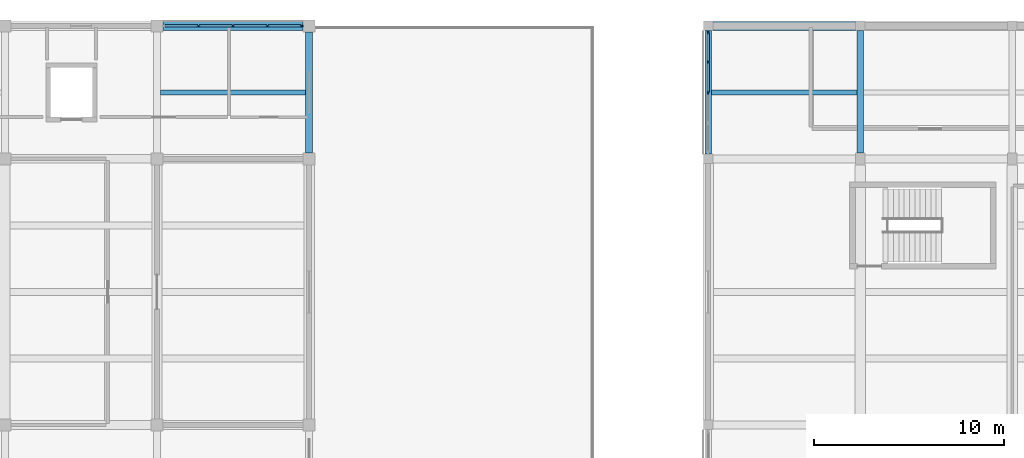
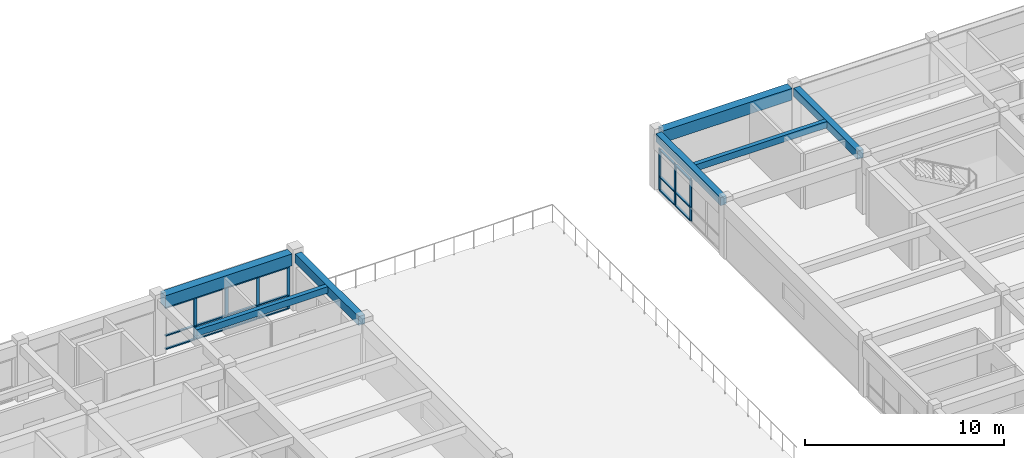
# One storey, part 8 of 22: 25 members, 7 beams, 2 elements without a shape of their own.
"""IFC4 building model written with IfcOpenShell, lengths in metres."""

from ifc_helpers import new_model, si_unit, direction, frame, origin, origin_2d, place, context, subcontext, project, spatial, rectangle, extrude, material, layer, layer_set, material_profile, profile_set, type_object, element, aggregate, save


model = new_model("IFC4")

# Units and contexts
model_context = context("Model", 3, precision=1e-05, world=origin(), true_north=direction((0.0, 1.0)))
body_context = subcontext(model_context, "Body", "Model", "MODEL_VIEW")
ifc_project = project(units=[si_unit("LENGTHUNIT", "METRE"), si_unit("AREAUNIT", "SQUARE_METRE"), si_unit("VOLUMEUNIT", "CUBIC_METRE"), si_unit("PLANEANGLEUNIT", "RADIAN"), si_unit("MASSUNIT", "GRAM", prefix="KILO")], contexts=[model_context])

# Site, building, storey
site_placement = place(None, origin())
site = spatial("IfcSite", under=ifc_project, at=site_placement, CompositionType="ELEMENT")
building_placement = place(site_placement, origin())
building = spatial("IfcBuilding", under=site, at=building_placement, Name="Naurynzar Civic Courthouse", CompositionType="ELEMENT")
storey_placement = place(building_placement, frame((0.0, 0.0, 25.800048828125)))
storey = spatial("IfcBuildingStorey", under=building, at=storey_placement, Name="L07", CompositionType="ELEMENT", Elevation=25.800048828125)

# Beams
ifc_material_1 = material(Name="Concrete C40/50", Category="concrete")
ifc_material_profile_1 = material_profile(ifc_material_1, rectangle(XDim=0.25, YDim=0.39990234375, at=origin_2d()), Name="RCB 250x400")
ifc_profile_set_1 = profile_set([ifc_material_profile_1], Name="Concrete C40/50")
beam_type_1 = type_object("IfcBeamType", Name="BM-JST-250x400", PredefinedType="JOIST", material=ifc_profile_set_1)
beam_1_placement = place(storey_placement, frame((101.1875, 68.5, 3.27001953125), z_axis=(1.0, 0.0, 0.0), x_axis=(0.0, 1.0, 0.0)))
element("IfcBeam", 1, at=beam_1_placement, inside=storey, type_object=beam_type_1, Name="V2 secondary rib 999 L07", PredefinedType="JOIST", context=body_context, shape_type="SweptSolid", body=[
    extrude(rectangle(XDim=0.25, YDim=0.39990234375, at=origin_2d()), origin(), (0.0, 0.0, 1.0), 7.625),
])
beam_2_placement = place(storey_placement, frame((130.175048828125, 68.5, 3.27001953125), z_axis=(1.0, 0.0, 0.0), x_axis=(0.0, 1.0, 0.0)))
element("IfcBeam", 2, at=beam_2_placement, inside=storey, type_object=beam_type_1, Name="V5 secondary rib 2901 L07", PredefinedType="JOIST", context=body_context, shape_type="SweptSolid", body=[
    extrude(rectangle(XDim=0.25, YDim=0.39990234375, at=origin_2d()), origin(), (0.0, 0.0, 1.0), 7.64990234375),
])
ifc_material_2 = material(Name="Concrete C40/50", Category="concrete")
ifc_material_profile_2 = material_profile(ifc_material_2, rectangle(XDim=0.35009765625, YDim=0.5, at=origin_2d()), Name="RCB 350x500")
ifc_profile_set_2 = profile_set([ifc_material_profile_2], Name="Concrete C40/50")
beam_type_2 = type_object("IfcBeamType", Name="BM-RC-350x500", PredefinedType="BEAM", material=ifc_profile_set_2)
beam_3_placement = place(storey_placement, frame((130.0, 65.25, 3.219970703125), z_axis=(0.0, 1.0, 0.0), x_axis=(-1.0, 0.0, 0.0)))
element("IfcBeam", 3, at=beam_3_placement, inside=storey, type_object=beam_type_2, Name="V5 girder Y-2857 L07", PredefinedType="BEAM", context=body_context, shape_type="SweptSolid", body=[
    extrude(rectangle(XDim=0.35009765625, YDim=0.5, at=origin_2d()), origin(), (0.0, 0.0, 1.0), 6.5),
])
beam_4_placement = place(storey_placement, frame((138.0, 65.324951171875, 3.219970703125), z_axis=(0.0, 1.0, 0.0), x_axis=(-1.0, 0.0, 0.0)))
element("IfcBeam", 4, at=beam_4_placement, inside=storey, type_object=beam_type_2, Name="V5 girder Y-2864 L07", PredefinedType="BEAM", context=body_context, shape_type="SweptSolid", body=[
    extrude(rectangle(XDim=0.35009765625, YDim=0.5, at=origin_2d()), origin(), (0.0, 0.0, 1.0), 6.425048828125),
])
ifc_material_3 = material(Name="Concrete C40/50", Category="concrete")
ifc_material_profile_3 = material_profile(ifc_material_3, rectangle(XDim=0.375, YDim=0.550048828125, at=origin_2d()), Name="RCB 375x550")
ifc_profile_set_3 = profile_set([ifc_material_profile_3], Name="Concrete C40/50")
beam_type_3 = type_object("IfcBeamType", Name="BM-RC-375x550", PredefinedType="BEAM", material=ifc_profile_set_3)
beam_5_placement = place(storey_placement, frame((109.0, 65.3125, 3.195068359375), z_axis=(0.0, 1.0, 0.0), x_axis=(-1.0, 0.0, 0.0)))
element("IfcBeam", 5, at=beam_5_placement, inside=storey, type_object=beam_type_3, Name="V2 girder Y-974 L07", PredefinedType="BEAM", context=body_context, shape_type="SweptSolid", body=[
    extrude(rectangle(XDim=0.375, YDim=0.550048828125, at=origin_2d()), origin(), (0.0, 0.0, 1.0), 6.375),
])
ifc_material_4 = material(Name="Concrete C40/50", Category="concrete")
ifc_material_profile_4 = material_profile(ifc_material_4, rectangle(XDim=0.47509765625, YDim=0.72509765625, at=origin_2d()), Name="RCB 475x725")
ifc_profile_set_4 = profile_set([ifc_material_profile_4], Name="Concrete C40/50")
beam_type_4 = type_object("IfcBeamType", Name="BM-RC-475x725", PredefinedType="SPANDREL", material=ifc_profile_set_4)
beam_6_placement = place(storey_placement, frame((101.3125, 72.0, 3.107421875), z_axis=(1.0, 0.0, 0.0), x_axis=(0.0, 1.0, 0.0)))
element("IfcBeam", 6, at=beam_6_placement, inside=storey, type_object=beam_type_4, Name="V2 beam X-953 L07", PredefinedType="SPANDREL", context=body_context, shape_type="SweptSolid", body=[
    extrude(rectangle(XDim=0.47509765625, YDim=0.72509765625, at=origin_2d()), origin(), (0.0, 0.0, 1.0), 7.375),
])
beam_7_placement = place(storey_placement, frame((130.25, 72.0, 3.107421875), z_axis=(1.0, 0.0, 0.0), x_axis=(0.0, 1.0, 0.0)))
element("IfcBeam", 7, at=beam_7_placement, inside=storey, type_object=beam_type_4, Name="V5 beam X-2847 L07", PredefinedType="SPANDREL", context=body_context, shape_type="SweptSolid", body=[
    extrude(rectangle(XDim=0.47509765625, YDim=0.72509765625, at=origin_2d()), origin(), (0.0, 0.0, 1.0), 7.5),
])

# Curtain wall, members
ifc_material_5 = material(Name="Aluminium 6063-T6", Category="aluminium")
ifc_layer = layer(ifc_material_5, 0.159912109375)
ifc_layer_set = layer_set([ifc_layer], Name="CW-UNIT-1800")
curtain_wall_type = type_object("IfcCurtainWallType", Name="CW-UNIT-1800", PredefinedType="NOTDEFINED", material=ifc_layer_set)
curtain_wall_1_placement = place(storey_placement, origin())
curtain_wall_1 = element("IfcCurtainWall", 8, at=curtain_wall_1_placement, inside=storey, type_object=curtain_wall_type, Name="V2 unitised curtain wall 50 L07", PredefinedType="NOTDEFINED")
ifc_material_6 = material(Name="Aluminium 6063-T6", Category="aluminium")
ifc_material_profile_5 = material_profile(ifc_material_6, rectangle(XDim=0.070068359375, YDim=0.179931640625, at=origin_2d()), Name="ALU MULLION 70x180")
ifc_profile_set_5 = profile_set([ifc_material_profile_5], Name="Aluminium 6063-T6")
member_type_1 = type_object("IfcMemberType", Name="CWM-70x180", PredefinedType="MULLION", material=ifc_profile_set_5)
member_1_placement = place(storey_placement, frame((103.18115234375, 72.0, 0.0), z_axis=(0.0, 0.0, 1.0), x_axis=(0.0, 1.0, 0.0)))
member_1 = element("IfcMember", 9, at=member_1_placement, type_object=member_type_1, Name="CW-02 mullion 2", PredefinedType="MULLION", context=body_context, shape_type="SweptSolid", body=[
    extrude(rectangle(XDim=0.070068359375, YDim=0.179931640625, at=origin_2d()), origin(), (0.0, 0.0, 1.0), 2.599853515625),
])
member_2_placement = place(storey_placement, frame((105.0, 72.0, 0.0), z_axis=(0.0, 0.0, 1.0), x_axis=(0.0, 1.0, 0.0)))
member_2 = element("IfcMember", 10, at=member_2_placement, type_object=member_type_1, Name="CW-02 mullion 3", PredefinedType="MULLION", context=body_context, shape_type="SweptSolid", body=[
    extrude(rectangle(XDim=0.070068359375, YDim=0.179931640625, at=origin_2d()), origin(), (0.0, 0.0, 1.0), 2.599853515625),
])
member_3_placement = place(storey_placement, frame((106.81884765625, 72.0, 0.0), z_axis=(0.0, 0.0, 1.0), x_axis=(0.0, 1.0, 0.0)))
member_3 = element("IfcMember", 11, at=member_3_placement, type_object=member_type_1, Name="CW-02 mullion 4", PredefinedType="MULLION", context=body_context, shape_type="SweptSolid", body=[
    extrude(rectangle(XDim=0.070068359375, YDim=0.179931640625, at=origin_2d()), origin(), (0.0, 0.0, 1.0), 2.599853515625),
])
member_4_placement = place(storey_placement, frame((108.6025390625, 72.0, 0.0), z_axis=(0.0, 0.0, 1.0), x_axis=(0.0, 1.0, 0.0)))
member_4 = element("IfcMember", 12, at=member_4_placement, type_object=member_type_1, Name="CW-02 mullion 5", PredefinedType="MULLION", context=body_context, shape_type="SweptSolid", body=[
    extrude(rectangle(XDim=0.070068359375, YDim=0.179931640625, at=origin_2d()), origin(), (0.0, 0.0, 1.0), 2.599853515625),
])

curtain_wall_2_placement = place(storey_placement, origin())
curtain_wall_2 = element("IfcCurtainWall", 13, at=curtain_wall_2_placement, inside=storey, type_object=curtain_wall_type, Name="V5 unitised curtain wall 115 L07", PredefinedType="NOTDEFINED")
member_5_placement = place(storey_placement, frame((130.0, 68.5, 0.0), z_axis=(0.0, 0.0, 1.0), x_axis=(-1.0, 0.0, 0.0)))
member_5 = element("IfcMember", 14, at=member_5_placement, type_object=member_type_1, Name="CW-02 mullion 3", PredefinedType="MULLION", context=body_context, shape_type="SweptSolid", body=[
    extrude(rectangle(XDim=0.070068359375, YDim=0.179931640625, at=origin_2d()), origin(), (0.0, 0.0, 1.0), 2.550048828125),
])
member_6_placement = place(storey_placement, frame((130.0, 70.10009765625, 0.0), z_axis=(0.0, 0.0, 1.0), x_axis=(-1.0, 0.0, 0.0)))
member_6 = element("IfcMember", 15, at=member_6_placement, type_object=member_type_1, Name="CW-02 mullion 4", PredefinedType="MULLION", context=body_context, shape_type="SweptSolid", body=[
    extrude(rectangle(XDim=0.070068359375, YDim=0.179931640625, at=origin_2d()), origin(), (0.0, 0.0, 1.0), 2.550048828125),
])
member_7_placement = place(storey_placement, frame((130.0, 71.6650390625, 0.0), z_axis=(0.0, 0.0, 1.0), x_axis=(-1.0, 0.0, 0.0)))
member_7 = element("IfcMember", 16, at=member_7_placement, type_object=member_type_1, Name="CW-02 mullion 5", PredefinedType="MULLION", context=body_context, shape_type="SweptSolid", body=[
    extrude(rectangle(XDim=0.070068359375, YDim=0.179931640625, at=origin_2d()), origin(), (0.0, 0.0, 1.0), 2.550048828125),
])

# Member
ifc_material_7 = material(Name="Aluminium 6063-T6", Category="aluminium")
ifc_material_profile_6 = material_profile(ifc_material_7, rectangle(XDim=0.1298828125, YDim=0.070068359375, at=origin_2d()), Name="ALU TRANSOM 70x130")
ifc_profile_set_6 = profile_set([ifc_material_profile_6], Name="Aluminium 6063-T6")
member_type_2 = type_object("IfcMemberType", Name="CWT-70x130", PredefinedType="USERDEFINED", material=ifc_profile_set_6)
member_8_placement = place(storey_placement, frame((101.4326171875, 72.0, 0.034912109375), z_axis=(1.0, 0.0, 0.0), x_axis=(0.0, 1.0, 0.0)))
member_8 = element("IfcMember", 17, at=member_8_placement, type_object=member_type_2, Name="CW-02 transom 1.1", ObjectType="TRANSOM", PredefinedType="USERDEFINED", context=body_context, shape_type="SweptSolid", body=[
    extrude(rectangle(XDim=0.1298828125, YDim=0.070068359375, at=origin_2d()), origin(), (0.0, 0.0, 1.0), 1.713623046875),
])

member_9_placement = place(storey_placement, frame((101.4326171875, 72.0, 0.849853515625), z_axis=(1.0, 0.0, 0.0), x_axis=(0.0, 1.0, 0.0)))
member_9 = element("IfcMember", 18, at=member_9_placement, type_object=member_type_2, Name="CW-02 transom 1.2", ObjectType="TRANSOM", PredefinedType="USERDEFINED", context=body_context, shape_type="SweptSolid", body=[
    extrude(rectangle(XDim=0.1298828125, YDim=0.070068359375, at=origin_2d()), origin(), (0.0, 0.0, 1.0), 1.713623046875),
])

member_10_placement = place(storey_placement, frame((101.4326171875, 72.0, 2.56494140625), z_axis=(1.0, 0.0, 0.0), x_axis=(0.0, 1.0, 0.0)))
member_10 = element("IfcMember", 19, at=member_10_placement, type_object=member_type_2, Name="CW-02 transom 1.3", ObjectType="TRANSOM", PredefinedType="USERDEFINED", context=body_context, shape_type="SweptSolid", body=[
    extrude(rectangle(XDim=0.1298828125, YDim=0.070068359375, at=origin_2d()), origin(), (0.0, 0.0, 1.0), 1.713623046875),
])

member_11_placement = place(storey_placement, frame((103.21630859375, 72.0, 0.034912109375), z_axis=(1.0, 0.0, 0.0), x_axis=(0.0, 1.0, 0.0)))
member_11 = element("IfcMember", 20, at=member_11_placement, type_object=member_type_2, Name="CW-02 transom 2.1", ObjectType="TRANSOM", PredefinedType="USERDEFINED", context=body_context, shape_type="SweptSolid", body=[
    extrude(rectangle(XDim=0.1298828125, YDim=0.070068359375, at=origin_2d()), origin(), (0.0, 0.0, 1.0), 1.748779296875),
])

member_12_placement = place(storey_placement, frame((103.21630859375, 72.0, 0.849853515625), z_axis=(1.0, 0.0, 0.0), x_axis=(0.0, 1.0, 0.0)))
member_12 = element("IfcMember", 21, at=member_12_placement, type_object=member_type_2, Name="CW-02 transom 2.2", ObjectType="TRANSOM", PredefinedType="USERDEFINED", context=body_context, shape_type="SweptSolid", body=[
    extrude(rectangle(XDim=0.1298828125, YDim=0.070068359375, at=origin_2d()), origin(), (0.0, 0.0, 1.0), 1.748779296875),
])

member_13_placement = place(storey_placement, frame((103.21630859375, 72.0, 2.56494140625), z_axis=(1.0, 0.0, 0.0), x_axis=(0.0, 1.0, 0.0)))
member_13 = element("IfcMember", 22, at=member_13_placement, type_object=member_type_2, Name="CW-02 transom 2.3", ObjectType="TRANSOM", PredefinedType="USERDEFINED", context=body_context, shape_type="SweptSolid", body=[
    extrude(rectangle(XDim=0.1298828125, YDim=0.070068359375, at=origin_2d()), origin(), (0.0, 0.0, 1.0), 1.748779296875),
])

member_14_placement = place(storey_placement, frame((105.034912109375, 72.0, 0.034912109375), z_axis=(1.0, 0.0, 0.0), x_axis=(0.0, 1.0, 0.0)))
member_14 = element("IfcMember", 23, at=member_14_placement, type_object=member_type_2, Name="CW-02 transom 3.1", ObjectType="TRANSOM", PredefinedType="USERDEFINED", context=body_context, shape_type="SweptSolid", body=[
    extrude(rectangle(XDim=0.1298828125, YDim=0.070068359375, at=origin_2d()), origin(), (0.0, 0.0, 1.0), 1.748779296875),
])

member_15_placement = place(storey_placement, frame((105.034912109375, 72.0, 0.849853515625), z_axis=(1.0, 0.0, 0.0), x_axis=(0.0, 1.0, 0.0)))
member_15 = element("IfcMember", 24, at=member_15_placement, type_object=member_type_2, Name="CW-02 transom 3.2", ObjectType="TRANSOM", PredefinedType="USERDEFINED", context=body_context, shape_type="SweptSolid", body=[
    extrude(rectangle(XDim=0.1298828125, YDim=0.070068359375, at=origin_2d()), origin(), (0.0, 0.0, 1.0), 1.748779296875),
])

member_16_placement = place(storey_placement, frame((105.034912109375, 72.0, 2.56494140625), z_axis=(1.0, 0.0, 0.0), x_axis=(0.0, 1.0, 0.0)))
member_16 = element("IfcMember", 25, at=member_16_placement, type_object=member_type_2, Name="CW-02 transom 3.3", ObjectType="TRANSOM", PredefinedType="USERDEFINED", context=body_context, shape_type="SweptSolid", body=[
    extrude(rectangle(XDim=0.1298828125, YDim=0.070068359375, at=origin_2d()), origin(), (0.0, 0.0, 1.0), 1.748779296875),
])

member_17_placement = place(storey_placement, frame((106.853759765625, 72.0, 0.034912109375), z_axis=(1.0, 0.0, 0.0), x_axis=(0.0, 1.0, 0.0)))
member_17 = element("IfcMember", 26, at=member_17_placement, type_object=member_type_2, Name="CW-02 transom 4.1", ObjectType="TRANSOM", PredefinedType="USERDEFINED", context=body_context, shape_type="SweptSolid", body=[
    extrude(rectangle(XDim=0.1298828125, YDim=0.070068359375, at=origin_2d()), origin(), (0.0, 0.0, 1.0), 1.713623046875),
])

member_18_placement = place(storey_placement, frame((106.853759765625, 72.0, 0.849853515625), z_axis=(1.0, 0.0, 0.0), x_axis=(0.0, 1.0, 0.0)))
member_18 = element("IfcMember", 27, at=member_18_placement, type_object=member_type_2, Name="CW-02 transom 4.2", ObjectType="TRANSOM", PredefinedType="USERDEFINED", context=body_context, shape_type="SweptSolid", body=[
    extrude(rectangle(XDim=0.1298828125, YDim=0.070068359375, at=origin_2d()), origin(), (0.0, 0.0, 1.0), 1.713623046875),
])

member_19_placement = place(storey_placement, frame((106.853759765625, 72.0, 2.56494140625), z_axis=(1.0, 0.0, 0.0), x_axis=(0.0, 1.0, 0.0)))
member_19 = element("IfcMember", 28, at=member_19_placement, type_object=member_type_2, Name="CW-02 transom 4.3", ObjectType="TRANSOM", PredefinedType="USERDEFINED", context=body_context, shape_type="SweptSolid", body=[
    extrude(rectangle(XDim=0.1298828125, YDim=0.070068359375, at=origin_2d()), origin(), (0.0, 0.0, 1.0), 1.713623046875),
])

aggregate(curtain_wall_1, [member_1, member_2, member_3, member_4, member_8, member_9, member_10, member_11, member_12, member_13, member_14, member_15, member_16, member_17, member_18, member_19])

member_20_placement = place(storey_placement, frame((130.0, 68.534912109375, 0.034912109375), z_axis=(0.0, 1.0, 0.0), x_axis=(-1.0, 0.0, 0.0)))
member_20 = element("IfcMember", 29, at=member_20_placement, type_object=member_type_2, Name="CW-02 transom 3.1", ObjectType="TRANSOM", PredefinedType="USERDEFINED", context=body_context, shape_type="SweptSolid", body=[
    extrude(rectangle(XDim=0.1298828125, YDim=0.070068359375, at=origin_2d()), origin(), (0.0, 0.0, 1.0), 1.530029296875),
])

member_21_placement = place(storey_placement, frame((130.0, 68.534912109375, 0.849853515625), z_axis=(0.0, 1.0, 0.0), x_axis=(-1.0, 0.0, 0.0)))
member_21 = element("IfcMember", 30, at=member_21_placement, type_object=member_type_2, Name="CW-02 transom 3.2", ObjectType="TRANSOM", PredefinedType="USERDEFINED", context=body_context, shape_type="SweptSolid", body=[
    extrude(rectangle(XDim=0.1298828125, YDim=0.070068359375, at=origin_2d()), origin(), (0.0, 0.0, 1.0), 1.530029296875),
])

member_22_placement = place(storey_placement, frame((130.0, 68.534912109375, 2.514892578125), z_axis=(0.0, 1.0, 0.0), x_axis=(-1.0, 0.0, 0.0)))
member_22 = element("IfcMember", 31, at=member_22_placement, type_object=member_type_2, Name="CW-02 transom 3.3", ObjectType="TRANSOM", PredefinedType="USERDEFINED", context=body_context, shape_type="SweptSolid", body=[
    extrude(rectangle(XDim=0.1298828125, YDim=0.070068359375, at=origin_2d()), origin(), (0.0, 0.0, 1.0), 1.530029296875),
])

member_23_placement = place(storey_placement, frame((130.0, 70.135009765625, 0.034912109375), z_axis=(0.0, 1.0, 0.0), x_axis=(-1.0, 0.0, 0.0)))
member_23 = element("IfcMember", 32, at=member_23_placement, type_object=member_type_2, Name="CW-02 transom 4.1", ObjectType="TRANSOM", PredefinedType="USERDEFINED", context=body_context, shape_type="SweptSolid", body=[
    extrude(rectangle(XDim=0.1298828125, YDim=0.070068359375, at=origin_2d()), origin(), (0.0, 0.0, 1.0), 1.494873046875),
])

member_24_placement = place(storey_placement, frame((130.0, 70.135009765625, 0.849853515625), z_axis=(0.0, 1.0, 0.0), x_axis=(-1.0, 0.0, 0.0)))
member_24 = element("IfcMember", 33, at=member_24_placement, type_object=member_type_2, Name="CW-02 transom 4.2", ObjectType="TRANSOM", PredefinedType="USERDEFINED", context=body_context, shape_type="SweptSolid", body=[
    extrude(rectangle(XDim=0.1298828125, YDim=0.070068359375, at=origin_2d()), origin(), (0.0, 0.0, 1.0), 1.494873046875),
])

member_25_placement = place(storey_placement, frame((130.0, 70.135009765625, 2.514892578125), z_axis=(0.0, 1.0, 0.0), x_axis=(-1.0, 0.0, 0.0)))
member_25 = element("IfcMember", 34, at=member_25_placement, type_object=member_type_2, Name="CW-02 transom 4.3", ObjectType="TRANSOM", PredefinedType="USERDEFINED", context=body_context, shape_type="SweptSolid", body=[
    extrude(rectangle(XDim=0.1298828125, YDim=0.070068359375, at=origin_2d()), origin(), (0.0, 0.0, 1.0), 1.494873046875),
])

aggregate(curtain_wall_2, [member_5, member_6, member_7, member_20, member_21, member_22, member_23, member_24, member_25])

save(model, "model.ifc")
